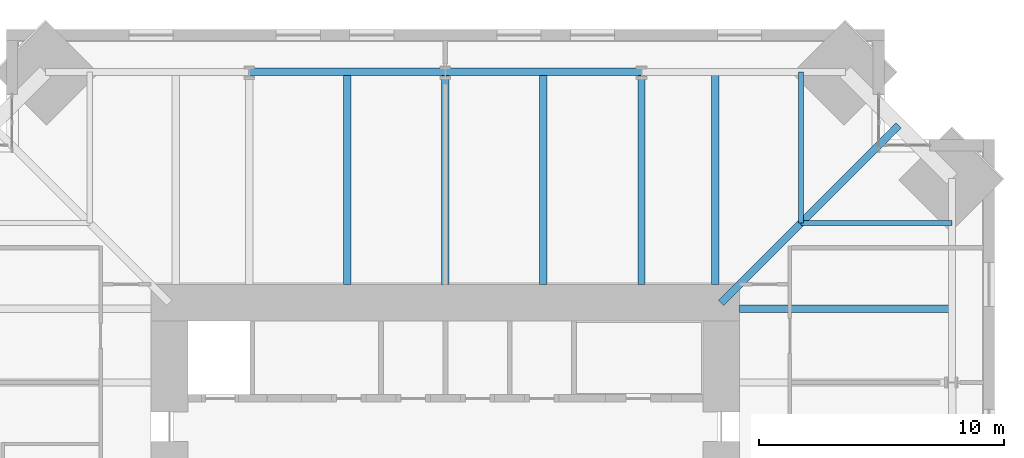
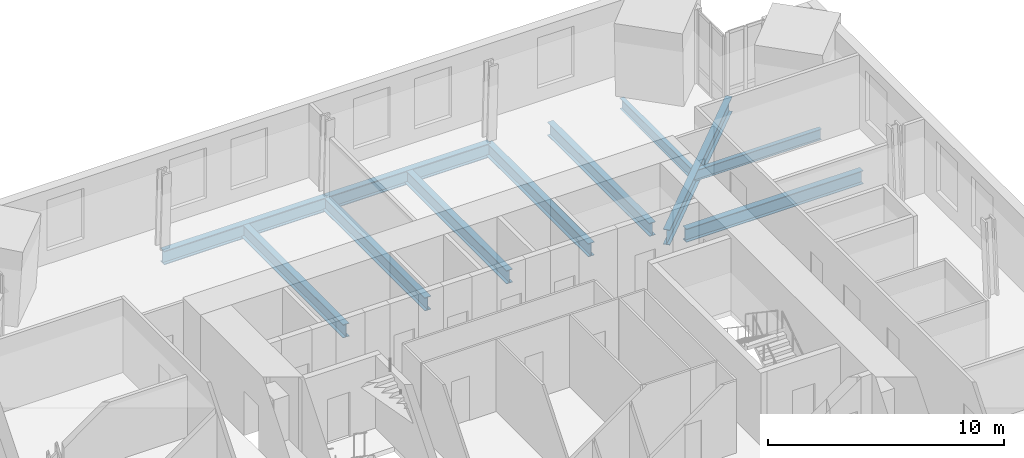
# One storey, part 8 of 17: 11 beams.
"""IFC4 building model written with IfcOpenShell, lengths in metres."""

from ifc_helpers import new_model, si_unit, direction, frame, origin, origin_2d, place, context, subcontext, project, spatial, i_section, extrude, material, material_profile, profile_set, type_object, element, save


model = new_model("IFC4")

# Units and contexts
model_context = context("Model", 3, precision=1e-05, world=origin(), true_north=direction((0.0, 1.0)))
body_context = subcontext(model_context, "Body", "Model", "MODEL_VIEW")
ifc_project = project(units=[si_unit("LENGTHUNIT", "METRE"), si_unit("AREAUNIT", "SQUARE_METRE"), si_unit("VOLUMEUNIT", "CUBIC_METRE"), si_unit("PLANEANGLEUNIT", "RADIAN"), si_unit("MASSUNIT", "GRAM", prefix="KILO")], contexts=[model_context])

# Site, building, storey
site_placement = place(None, origin())
site = spatial("IfcSite", under=ifc_project, at=site_placement, CompositionType="ELEMENT")
building_placement = place(site_placement, origin())
building = spatial("IfcBuilding", under=site, at=building_placement, Name="Peilmerk Tower", CompositionType="ELEMENT")
storey_placement = place(building_placement, frame((0.0, 0.0, 253.800048828125)))
storey = spatial("IfcBuildingStorey", under=building, at=storey_placement, Name="L56", CompositionType="ELEMENT", Elevation=253.800048828125)

# Beams
ifc_material = material(Name="Steel S355", Category="steel")
ifc_material_profile_1 = material_profile(ifc_material, i_section(OverallWidth=0.2099609375, OverallDepth=0.550048828125, WebThickness=0.010986328125, FlangeThickness=0.01708984375, at=origin_2d()), Name="IPE 550")
ifc_profile_set_1 = profile_set([ifc_material_profile_1], Name="Steel S355")
beam_type_1 = type_object("IfcBeamType", Name="B12 IPE 550 floor beam", PredefinedType="BEAM", material=ifc_profile_set_1)
for number, where, z_axis, x_axis, name in (
    (1, (14.5, 14.5, -0.445068359375), (0.0, 1.0, 0.0), (-1.0, 0.0, 0.0), "Floor beam L56"),
    (2, (14.5, 14.5, -0.445068359375), (1.0, 0.0, 0.0), (0.0, 1.0, 0.0), "Floor beam L56"),
):
    element("IfcBeam", number, at=place(storey_placement, frame(where, z_axis=z_axis, x_axis=x_axis)), inside=storey, type_object=beam_type_1, Name=name, PredefinedType="BEAM", context=body_context, shape_type="SweptSolid", body=[
        extrude(i_section(OverallWidth=0.2099609375, OverallDepth=0.550048828125, WebThickness=0.010986328125, FlangeThickness=0.01708984375, at=origin_2d()), origin(), (0.0, 0.0, 1.0), 6.162841796875),
    ])
ifc_material_profile_2 = material_profile(ifc_material, i_section(OverallWidth=0.300048828125, OverallDepth=0.68994140625, WebThickness=0.014404296875, FlangeThickness=0.027099609375, at=origin_2d()), Name="HEA 700")
ifc_profile_set_2 = profile_set([ifc_material_profile_2], Name="Steel S355")
beam_type_2 = type_object("IfcBeamType", Name="B16 HEA 700 floor beam", PredefinedType="BEAM", material=ifc_profile_set_2)
for number, where, z_axis, x_axis, name in (
    (3, (11.0, 12.0, -0.51513671875), (0.0, 1.0, 0.0), (-1.0, 0.0, 0.0), "Floor beam L56"),
    (4, (8.0, 12.0, -0.51513671875), (0.0, 1.0, 0.0), (-1.0, 0.0, 0.0), "Floor beam L56"),
    (5, (4.0, 12.0, -0.51513671875), (0.0, 1.0, 0.0), (-1.0, 0.0, 0.0), "Floor beam L56"),
    (6, (0.0, 12.0, -0.51513671875), (0.0, 1.0, 0.0), (-1.0, 0.0, 0.0), "Floor beam L56"),
    (7, (-4.0, 12.0, -0.51513671875), (0.0, 1.0, 0.0), (-1.0, 0.0, 0.0), "Floor beam L56"),
    (8, (12.0, 11.0, -0.51513671875), (1.0, 0.0, 0.0), (0.0, 1.0, 0.0), "Floor beam L56"),
):
    element("IfcBeam", number, at=place(storey_placement, frame(where, z_axis=z_axis, x_axis=x_axis)), inside=storey, type_object=beam_type_2, Name=name, PredefinedType="BEAM", context=body_context, shape_type="SweptSolid", body=[
        extrude(i_section(OverallWidth=0.300048828125, OverallDepth=0.68994140625, WebThickness=0.014404296875, FlangeThickness=0.027099609375, at=origin_2d()), origin(), (0.0, 0.0, 1.0), 8.662841796875),
    ])
ifc_material_profile_3 = material_profile(ifc_material, i_section(OverallWidth=0.300048828125, OverallDepth=0.7900390625, WebThickness=0.014892578125, FlangeThickness=0.028076171875, at=origin_2d()), Name="HEA 800")
ifc_profile_set_3 = profile_set([ifc_material_profile_3], Name="Steel S355")
beam_type_3 = type_object("IfcBeamType", Name="B3 HEA 800 floor beam", PredefinedType="BEAM", material=ifc_profile_set_3)
beam_placement = place(storey_placement, frame((11.25, 11.25, -0.56494140625), z_axis=(0.707106781187, 0.707106781187, 0.0), x_axis=(-0.707106781187, 0.707106781187, 0.0)))
element("IfcBeam", 9, at=beam_placement, inside=storey, type_object=beam_type_3, Name="Corner girder L56", PredefinedType="BEAM", context=body_context, shape_type="SweptSolid", body=[
    extrude(i_section(OverallWidth=0.300048828125, OverallDepth=0.7900390625, WebThickness=0.014892578125, FlangeThickness=0.028076171875, at=origin_2d()), origin(), (0.0, 0.0, 1.0), 10.23583984375),
])
ifc_material_profile_4 = material_profile(ifc_material, i_section(OverallWidth=0.303955078125, OverallDepth=0.716064453125, WebThickness=0.02099609375, FlangeThickness=0.0400390625, at=origin_2d()), Name="HEM 700")
ifc_profile_set_4 = profile_set([ifc_material_profile_4], Name="Steel S355")
beam_type_4 = type_object("IfcBeamType", Name="B30 HEM 700 edge beam", PredefinedType="SPANDREL", material=ifc_profile_set_4)
for number, where, z_axis, x_axis, name in (
    (10, (8.0, 20.662841796875, -0.528076171875), (-1.0, 0.0, 0.0), (0.0, -1.0, 0.0), "Edge beam L56"),
    (11, (0.0, 20.662841796875, -0.528076171875), (-1.0, 0.0, 0.0), (0.0, -1.0, 0.0), "Edge beam L56"),
):
    element("IfcBeam", number, at=place(storey_placement, frame(where, z_axis=z_axis, x_axis=x_axis)), inside=storey, type_object=beam_type_4, Name=name, PredefinedType="SPANDREL", context=body_context, shape_type="SweptSolid", body=[
        extrude(i_section(OverallWidth=0.303955078125, OverallDepth=0.716064453125, WebThickness=0.02099609375, FlangeThickness=0.0400390625, at=origin_2d()), origin(), (0.0, 0.0, 1.0), 8.0),
    ])

save(model, "model.ifc")
